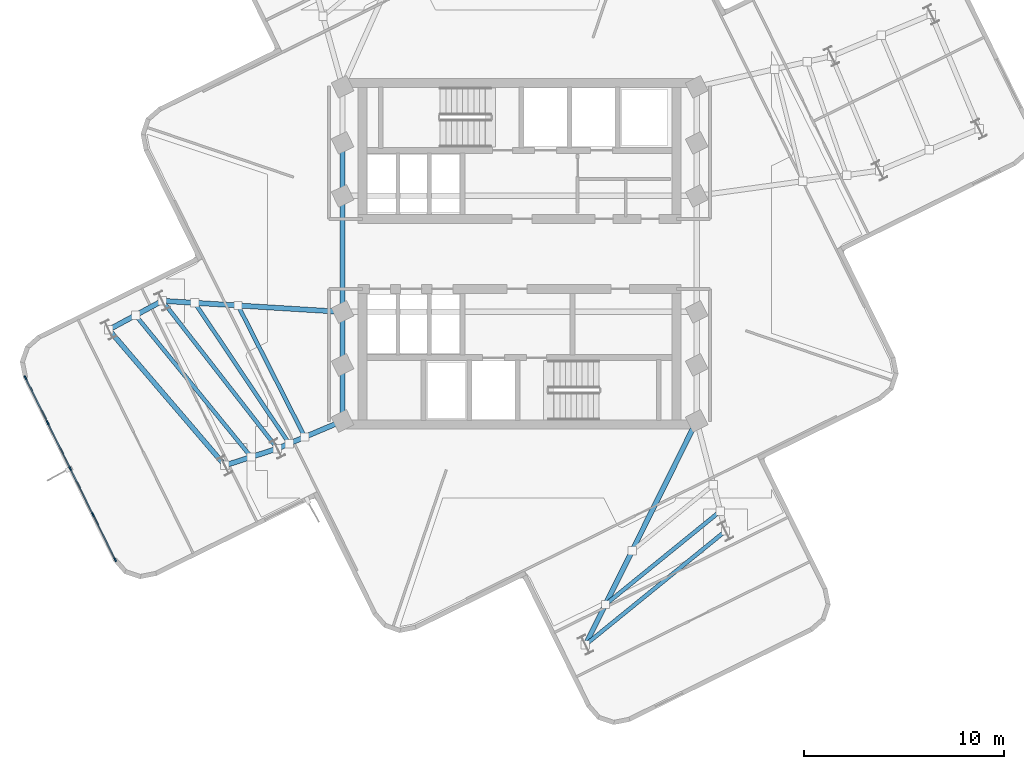
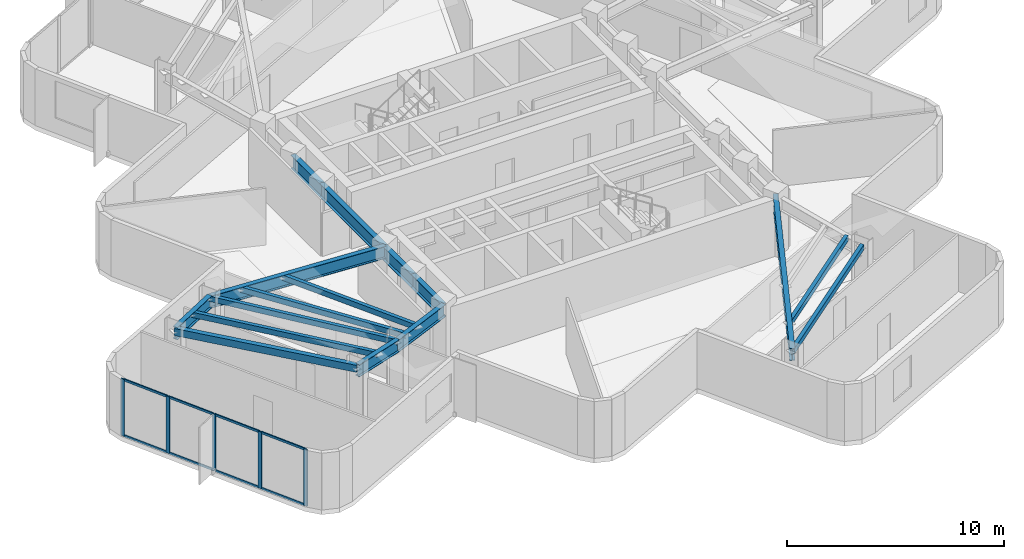
# One storey, part 2 of 11: 16 beams, 13 members, 1 element without a shape of its own.
"""IFC4 building model written with IfcOpenShell, lengths in metres."""

from ifc_helpers import new_model, si_unit, direction, frame, origin, origin_2d, place, context, subcontext, project, spatial, rectangle, hollow_rectangle, i_section, extrude, material, layer, layer_set, material_profile, profile_set, type_object, element, aggregate, save


model = new_model("IFC4")

# Units and contexts
model_context = context("Model", 3, precision=1e-05, world=origin(), true_north=direction((0.0, 1.0)))
body_context = subcontext(model_context, "Body", "Model", "MODEL_VIEW")
ifc_project = project(units=[si_unit("LENGTHUNIT", "METRE"), si_unit("AREAUNIT", "SQUARE_METRE"), si_unit("VOLUMEUNIT", "CUBIC_METRE"), si_unit("PLANEANGLEUNIT", "RADIAN"), si_unit("MASSUNIT", "GRAM", prefix="KILO")], contexts=[model_context])

# Site, building, storey
site_placement = place(None, origin())
site = spatial("IfcSite", under=ifc_project, at=site_placement, CompositionType="ELEMENT")
building_placement = place(site_placement, origin())
building = spatial("IfcBuilding", under=site, at=building_placement, Name="Solmarez Civic Tower", CompositionType="ELEMENT")
storey_placement = place(building_placement, frame((0.0, 0.0, 192.60009765625)))
storey = spatial("IfcBuildingStorey", under=building, at=storey_placement, Name="L51", CompositionType="ELEMENT", Elevation=192.60009765625)

# Beams
ifc_material_1 = material(Name="Steel S355", Category="steel")
ifc_material_profile_1 = material_profile(ifc_material_1, hollow_rectangle(XDim=0.199951171875, YDim=0.300048828125, WallThickness=0.011962890625, at=origin_2d()), Name="HSS300X200X12")
ifc_profile_set_1 = profile_set([ifc_material_profile_1], Name="Steel S355")
beam_type_1 = type_object("IfcBeamType", Name="BM-JS-HSS300X200", PredefinedType="JOIST", material=ifc_profile_set_1)
beam_1_placement = place(storey_placement, frame((-17.85791015625, -2.345947265625, 3.0498046875), z_axis=(0.614476744631, -0.788934934141, 0.0), x_axis=(0.788934934141, 0.614476744631, 0.0)))
element("IfcBeam", 1, at=beam_1_placement, inside=storey, type_object=beam_type_1, Name="L51 Secondary Floor Joist BM-L51-WA-T1", PredefinedType="JOIST", context=body_context, shape_type="SweptSolid", body=[
    extrude(hollow_rectangle(XDim=0.199951171875, YDim=0.300048828125, WallThickness=0.011962890625, at=origin_2d()), origin(), (0.0, 0.0, 1.0), 9.36083984375),
])
beam_2_placement = place(storey_placement, frame((-19.197021484375, -3.06689453125, 3.0498046875), z_axis=(0.632062174253, -0.77491767813, 0.0), x_axis=(0.77491767813, 0.632062174253, 0.0)))
element("IfcBeam", 2, at=beam_2_placement, inside=storey, type_object=beam_type_1, Name="L51 Secondary Floor Joist JS-L51-WA-M2", PredefinedType="JOIST", context=body_context, shape_type="SweptSolid", body=[
    extrude(hollow_rectangle(XDim=0.199951171875, YDim=0.300048828125, WallThickness=0.011962890625, at=origin_2d()), origin(), (0.0, 0.0, 1.0), 9.14306640625),
])
beam_3_placement = place(storey_placement, frame((-14.074951171875, -2.5791015625, 3.0498046875), z_axis=(0.452743410654, -0.891640849282, 0.0), x_axis=(0.891640849282, 0.452743410654, 0.0)))
element("IfcBeam", 3, at=beam_3_placement, inside=storey, type_object=beam_type_1, Name="L51 Secondary Floor Joist JS-L51-WA-M11", PredefinedType="JOIST", context=body_context, shape_type="SweptSolid", body=[
    extrude(hollow_rectangle(XDim=0.199951171875, YDim=0.300048828125, WallThickness=0.011962890625, at=origin_2d()), origin(), (0.0, 0.0, 1.0), 7.370361328125),
])
beam_4_placement = place(storey_placement, frame((-16.237060546875, -2.446044921875, 3.0498046875), z_axis=(0.556859935783, -0.830606412159, 0.0), x_axis=(0.830606412159, 0.556859935783, 0.0)))
element("IfcBeam", 4, at=beam_4_placement, inside=storey, type_object=beam_type_1, Name="L51 Secondary Floor Joist JS-L51-WA-M12", PredefinedType="JOIST", context=body_context, shape_type="SweptSolid", body=[
    extrude(hollow_rectangle(XDim=0.199951171875, YDim=0.300048828125, WallThickness=0.011962890625, at=origin_2d()), origin(), (0.0, 0.0, 1.0), 8.470703125),
])
beam_5_placement = place(storey_placement, frame((3.2900390625, -19.535888671875, 3.0498046875), z_axis=(0.776206737012, 0.630478470225, 0.0), x_axis=(-0.630478470225, 0.776206737012, 0.0)))
element("IfcBeam", 5, at=beam_5_placement, inside=storey, type_object=beam_type_1, Name="L51 Secondary Floor Joist BM-L51-SA-T1", PredefinedType="JOIST", context=body_context, shape_type="SweptSolid", body=[
    extrude(hollow_rectangle(XDim=0.199951171875, YDim=0.300048828125, WallThickness=0.011962890625, at=origin_2d()), origin(), (0.0, 0.0, 1.0), 9.018310546875),
])
beam_6_placement = place(storey_placement, frame((4.291015625, -17.52294921875, 3.0498046875), z_axis=(0.776173575786, 0.630519294115, 0.0), x_axis=(-0.630519294115, 0.776173575786, 0.0)))
element("IfcBeam", 6, at=beam_6_placement, inside=storey, type_object=beam_type_1, Name="L51 Secondary Floor Joist JS-L51-SA-M12", PredefinedType="JOIST", context=body_context, shape_type="SweptSolid", body=[
    extrude(hollow_rectangle(XDim=0.199951171875, YDim=0.300048828125, WallThickness=0.011962890625, at=origin_2d()), origin(), (0.0, 0.0, 1.0), 7.395263671875),
])
ifc_material_profile_2 = material_profile(ifc_material_1, i_section(OverallWidth=0.25390625, OverallDepth=0.68798828125, WebThickness=0.01318359375, FlangeThickness=0.02099609375, at=origin_2d()), Name="W27X102")
ifc_profile_set_2 = profile_set([ifc_material_profile_2], Name="Steel S355")
beam_type_2 = type_object("IfcBeamType", Name="BM-PR-W27X102", PredefinedType="BEAM", material=ifc_profile_set_2)
beam_7_placement = place(storey_placement, frame((-8.85009765625, -2.89990234375, 2.85595703125), z_axis=(-0.998114395047, 0.061381221877, 0.0), x_axis=(-0.061381221877, -0.998114395047, 0.0)))
element("IfcBeam", 7, at=beam_7_placement, inside=storey, type_object=beam_type_2, Name="L51 Primary Floor Beam BM-L51-WA-R1A", PredefinedType="BEAM", context=body_context, shape_type="SweptSolid", body=[
    extrude(i_section(OverallWidth=0.25390625, OverallDepth=0.68798828125, WebThickness=0.01318359375, FlangeThickness=0.02099609375, at=origin_2d()), origin(), (0.0, 0.0, 1.0), 9.02490234375),
])
beam_8_placement = place(storey_placement, frame((-8.85009765625, -8.35009765625, 2.85595703125), z_axis=(-0.920623894701, -0.390450566019, 0.0), x_axis=(0.390450566019, -0.920623894701, 0.0)))
element("IfcBeam", 8, at=beam_8_placement, inside=storey, type_object=beam_type_2, Name="L51 Primary Floor Beam BM-L51-WA-R1B", PredefinedType="BEAM", context=body_context, shape_type="SweptSolid", body=[
    extrude(i_section(OverallWidth=0.25390625, OverallDepth=0.68798828125, WebThickness=0.01318359375, FlangeThickness=0.02099609375, at=origin_2d()), origin(), (0.0, 0.0, 1.0), 3.53662109375),
])
beam_9_placement = place(storey_placement, frame((-17.85791015625, -2.345947265625, 2.85595703125), z_axis=(-0.880378270924, -0.474272179329, 0.0), x_axis=(0.474272179329, -0.880378270924, 0.0)))
element("IfcBeam", 9, at=beam_9_placement, inside=storey, type_object=beam_type_2, Name="L51 Primary Floor Beam BM-L51-WA-R2A", PredefinedType="BEAM", context=body_context, shape_type="SweptSolid", body=[
    extrude(i_section(OverallWidth=0.25390625, OverallDepth=0.68798828125, WebThickness=0.01318359375, FlangeThickness=0.02099609375, at=origin_2d()), origin(), (0.0, 0.0, 1.0), 3.040771484375),
])
beam_10_placement = place(storey_placement, frame((-12.10595703125, -9.73095703125, 2.85595703125), z_axis=(-0.952208998703, -0.305447250421, 0.0), x_axis=(0.305447250421, -0.952208998703, 0.0)))
element("IfcBeam", 10, at=beam_10_placement, inside=storey, type_object=beam_type_2, Name="L51 Primary Floor Beam BM-L51-WA-R2B", PredefinedType="BEAM", context=body_context, shape_type="SweptSolid", body=[
    extrude(i_section(OverallWidth=0.25390625, OverallDepth=0.68798828125, WebThickness=0.01318359375, FlangeThickness=0.02099609375, at=origin_2d()), origin(), (0.0, 0.0, 1.0), 2.7568359375),
])
beam_11_placement = place(storey_placement, frame((8.85009765625, -8.35009765625, 2.85595703125), z_axis=(-0.44510935737, -0.895476219663, 0.0), x_axis=(0.895476219663, -0.44510935737, 0.0)))
element("IfcBeam", 11, at=beam_11_placement, inside=storey, type_object=beam_type_2, Name="L51 Primary Floor Beam BM-L51-SA-R1A", PredefinedType="BEAM", context=body_context, shape_type="SweptSolid", body=[
    extrude(i_section(OverallWidth=0.25390625, OverallDepth=0.68798828125, WebThickness=0.01318359375, FlangeThickness=0.02099609375, at=origin_2d()), origin(), (0.0, 0.0, 1.0), 12.491455078125),
])
ifc_material_profile_3 = material_profile(ifc_material_1, i_section(OverallWidth=0.26708984375, OverallDepth=0.761962890625, WebThickness=0.014404296875, FlangeThickness=0.021484375, at=origin_2d()), Name="W30X116")
ifc_profile_set_3 = profile_set([ifc_material_profile_3], Name="Steel S355")
beam_type_3 = type_object("IfcBeamType", Name="BM-PR-W30X116", PredefinedType="BEAM", material=ifc_profile_set_3)
beam_12_placement = place(storey_placement, frame((-8.85009765625, -8.35009765625, 2.81884765625), z_axis=(0.0, 1.0, 0.0), x_axis=(-1.0, 0.0, 0.0)))
element("IfcBeam", 12, at=beam_12_placement, inside=storey, type_object=beam_type_3, Name="L51 Primary Floor Beam BM-L51-HC12-HC1", PredefinedType="BEAM", context=body_context, shape_type="SweptSolid", body=[
    extrude(i_section(OverallWidth=0.26708984375, OverallDepth=0.761962890625, WebThickness=0.014404296875, FlangeThickness=0.021484375, at=origin_2d()), origin(), (0.0, 0.0, 1.0), 2.800048828125),
])
beam_13_placement = place(storey_placement, frame((-8.85009765625, -5.550048828125, 2.81884765625), z_axis=(0.0, 1.0, 0.0), x_axis=(-1.0, 0.0, 0.0)))
element("IfcBeam", 13, at=beam_13_placement, inside=storey, type_object=beam_type_3, Name="L51 Primary Floor Beam BM-L51-HC1-HC2", PredefinedType="BEAM", context=body_context, shape_type="SweptSolid", body=[
    extrude(i_section(OverallWidth=0.26708984375, OverallDepth=0.761962890625, WebThickness=0.014404296875, FlangeThickness=0.021484375, at=origin_2d()), origin(), (0.0, 0.0, 1.0), 2.650146484375),
])
beam_14_placement = place(storey_placement, frame((-8.85009765625, -2.89990234375, 2.81884765625), z_axis=(0.0, 1.0, 0.0), x_axis=(-1.0, 0.0, 0.0)))
element("IfcBeam", 14, at=beam_14_placement, inside=storey, type_object=beam_type_3, Name="L51 Primary Floor Beam BM-L51-HC2-HC3", PredefinedType="BEAM", context=body_context, shape_type="SweptSolid", body=[
    extrude(i_section(OverallWidth=0.26708984375, OverallDepth=0.761962890625, WebThickness=0.014404296875, FlangeThickness=0.021484375, at=origin_2d()), origin(), (0.0, 0.0, 1.0), 5.7998046875),
])
beam_15_placement = place(storey_placement, frame((-8.85009765625, 2.89990234375, 2.81884765625), z_axis=(0.0, 1.0, 0.0), x_axis=(-1.0, 0.0, 0.0)))
element("IfcBeam", 15, at=beam_15_placement, inside=storey, type_object=beam_type_3, Name="L51 Primary Floor Beam BM-L51-HC3-HC4", PredefinedType="BEAM", context=body_context, shape_type="SweptSolid", body=[
    extrude(i_section(OverallWidth=0.26708984375, OverallDepth=0.761962890625, WebThickness=0.014404296875, FlangeThickness=0.021484375, at=origin_2d()), origin(), (0.0, 0.0, 1.0), 2.650146484375),
])
ifc_material_profile_4 = material_profile(ifc_material_1, hollow_rectangle(XDim=0.25, YDim=0.39990234375, WallThickness=0.01611328125, at=origin_2d()), Name="HSS400X250X16")
ifc_profile_set_4 = profile_set([ifc_material_profile_4], Name="Steel S355")
beam_type_4 = type_object("IfcBeamType", Name="BM-SP-HSS400X250", PredefinedType="SPANDREL", material=ifc_profile_set_4)
beam_16_placement = place(storey_placement, frame((-20.534912109375, -3.7880859375, 3.0), z_axis=(0.650036693718, -0.759902820642, 0.0), x_axis=(0.759902820642, 0.650036693718, 0.0)))
element("IfcBeam", 16, at=beam_16_placement, inside=storey, type_object=beam_type_4, Name="L51 Perimeter Spandrel Beam BM-L51-WA-T2", PredefinedType="SPANDREL", context=body_context, shape_type="SweptSolid", body=[
    extrude(hollow_rectangle(XDim=0.25, YDim=0.39990234375, WallThickness=0.01611328125, at=origin_2d()), origin(), (0.0, 0.0, 1.0), 8.9287109375),
])

# Curtain wall, members
ifc_material_2 = material(Name="Bronze Anodised Aluminium EN AW-6063 T6", Category="aluminium")
ifc_layer = layer(ifc_material_2, 0.2099609375)
ifc_layer_set = layer_set([ifc_layer], Name="Bronze Anodised Aluminium EN AW-6063 T6")
curtain_wall_type = type_object("IfcCurtainWallType", Name="CW-SYS-5", PredefinedType="NOTDEFINED", material=ifc_layer_set)
curtain_wall_placement = place(storey_placement, origin())
curtain_wall = element("IfcCurtainWall", 17, at=curtain_wall_placement, inside=storey, type_object=curtain_wall_type, Name="L51 Stick-Built Curtain Wall 1", PredefinedType="NOTDEFINED")
ifc_material_profile_5 = material_profile(ifc_material_2, rectangle(XDim=0.074951171875, YDim=0.199951171875, at=origin_2d()), Name="CWM-75X200")
ifc_profile_set_5 = profile_set([ifc_material_profile_5], Name="Bronze Anodised Aluminium EN AW-6063 T6")
member_type_1 = type_object("IfcMemberType", Name="CWM-TYPE-1", PredefinedType="MULLION", material=ifc_profile_set_5)
member_1_placement = place(storey_placement, frame((-20.214599609375, -15.285400390625, 0.0), z_axis=(0.0, 0.0, 1.0), x_axis=(-0.896937320632, -0.442157712652, 0.0)))
member_1 = element("IfcMember", 18, at=member_1_placement, type_object=member_type_1, Name="CWS5 mullion 1", PredefinedType="MULLION", context=body_context, shape_type="SweptSolid", body=[
    extrude(rectangle(XDim=0.074951171875, YDim=0.199951171875, at=origin_2d()), origin(), (0.0, 0.0, 1.0), 3.199951171875),
])
member_2_placement = place(storey_placement, frame((-21.32763671875, -13.02734375, 0.0), z_axis=(0.0, 0.0, 1.0), x_axis=(-0.896937320632, -0.442157712652, 0.0)))
member_2 = element("IfcMember", 19, at=member_2_placement, type_object=member_type_1, Name="CWS5 mullion 2", PredefinedType="MULLION", context=body_context, shape_type="SweptSolid", body=[
    extrude(rectangle(XDim=0.074951171875, YDim=0.199951171875, at=origin_2d()), origin(), (0.0, 0.0, 1.0), 3.199951171875),
])
member_3_placement = place(storey_placement, frame((-22.45751953125, -10.735595703125, 0.0), z_axis=(0.0, 0.0, 1.0), x_axis=(-0.896937320632, -0.442157712652, 0.0)))
member_3 = element("IfcMember", 20, at=member_3_placement, type_object=member_type_1, Name="CWS5 mullion 3", PredefinedType="MULLION", context=body_context, shape_type="SweptSolid", body=[
    extrude(rectangle(XDim=0.074951171875, YDim=0.199951171875, at=origin_2d()), origin(), (0.0, 0.0, 1.0), 3.199951171875),
])
member_4_placement = place(storey_placement, frame((-23.587158203125, -8.44384765625, 0.0), z_axis=(0.0, 0.0, 1.0), x_axis=(-0.896937320632, -0.442157712652, 0.0)))
member_4 = element("IfcMember", 21, at=member_4_placement, type_object=member_type_1, Name="CWS5 mullion 4", PredefinedType="MULLION", context=body_context, shape_type="SweptSolid", body=[
    extrude(rectangle(XDim=0.074951171875, YDim=0.199951171875, at=origin_2d()), origin(), (0.0, 0.0, 1.0), 3.199951171875),
])
member_5_placement = place(storey_placement, frame((-24.700439453125, -6.185546875, 0.0), z_axis=(0.0, 0.0, 1.0), x_axis=(-0.896937320632, -0.442157712652, 0.0)))
member_5 = element("IfcMember", 22, at=member_5_placement, type_object=member_type_1, Name="CWS5 mullion 5", PredefinedType="MULLION", context=body_context, shape_type="SweptSolid", body=[
    extrude(rectangle(XDim=0.074951171875, YDim=0.199951171875, at=origin_2d()), origin(), (0.0, 0.0, 1.0), 3.199951171875),
])
ifc_material_profile_6 = material_profile(ifc_material_2, rectangle(XDim=0.06494140625, YDim=0.125, at=origin_2d()), Name="CWT-65X125")
ifc_profile_set_6 = profile_set([ifc_material_profile_6], Name="Bronze Anodised Aluminium EN AW-6063 T6")
member_type_2 = type_object("IfcMemberType", Name="CWT-TYPE-2", PredefinedType="USERDEFINED", material=ifc_profile_set_6)
member_6_placement = place(storey_placement, frame((-20.231201171875, -15.251708984375, 0.032470703125), z_axis=(-0.442169133019, 0.896931690713, 0.0), x_axis=(-0.896931690713, -0.442169133019, 0.0)))
member_6 = element("IfcMember", 23, at=member_6_placement, type_object=member_type_2, Name="CWS5 transom 1.1", ObjectType="TRANSOM", PredefinedType="USERDEFINED", context=body_context, shape_type="SweptSolid", body=[
    extrude(rectangle(XDim=0.06494140625, YDim=0.125, at=origin_2d()), origin(), (0.0, 0.0, 1.0), 2.442626953125),
])
member_7_placement = place(storey_placement, frame((-20.231201171875, -15.251708984375, 3.16748046875), z_axis=(-0.442169133019, 0.896931690713, 0.0), x_axis=(-0.896931690713, -0.442169133019, 0.0)))
member_7 = element("IfcMember", 24, at=member_7_placement, type_object=member_type_2, Name="CWS5 transom 1.2", ObjectType="TRANSOM", PredefinedType="USERDEFINED", context=body_context, shape_type="SweptSolid", body=[
    extrude(rectangle(XDim=0.06494140625, YDim=0.125, at=origin_2d()), origin(), (0.0, 0.0, 1.0), 2.442626953125),
])
member_8_placement = place(storey_placement, frame((-21.34423828125, -12.99365234375, 0.032470703125), z_axis=(-0.442166662221, 0.896932908762, 0.0), x_axis=(-0.896932908762, -0.442166662221, 0.0)))
member_8 = element("IfcMember", 25, at=member_8_placement, type_object=member_type_2, Name="CWS5 transom 2.1", ObjectType="TRANSOM", PredefinedType="USERDEFINED", context=body_context, shape_type="SweptSolid", body=[
    extrude(rectangle(XDim=0.06494140625, YDim=0.125, at=origin_2d()), origin(), (0.0, 0.0, 1.0), 2.480224609375),
])
member_9_placement = place(storey_placement, frame((-21.34423828125, -12.99365234375, 3.16748046875), z_axis=(-0.442166662221, 0.896932908762, 0.0), x_axis=(-0.896932908762, -0.442166662221, 0.0)))
member_9 = element("IfcMember", 26, at=member_9_placement, type_object=member_type_2, Name="CWS5 transom 2.2", ObjectType="TRANSOM", PredefinedType="USERDEFINED", context=body_context, shape_type="SweptSolid", body=[
    extrude(rectangle(XDim=0.06494140625, YDim=0.125, at=origin_2d()), origin(), (0.0, 0.0, 1.0), 2.480224609375),
])
member_10_placement = place(storey_placement, frame((-22.47412109375, -10.701904296875, 0.032470703125), z_axis=(-0.442087467813, 0.896971945382, 0.0), x_axis=(-0.896971945382, -0.442087467813, 0.0)))
member_10 = element("IfcMember", 27, at=member_10_placement, type_object=member_type_2, Name="CWS5 transom 3.1", ObjectType="TRANSOM", PredefinedType="USERDEFINED", context=body_context, shape_type="SweptSolid", body=[
    extrude(rectangle(XDim=0.06494140625, YDim=0.125, at=origin_2d()), origin(), (0.0, 0.0, 1.0), 2.480224609375),
])
member_11_placement = place(storey_placement, frame((-22.47412109375, -10.701904296875, 3.16748046875), z_axis=(-0.442087467813, 0.896971945382, 0.0), x_axis=(-0.896971945382, -0.442087467813, 0.0)))
member_11 = element("IfcMember", 28, at=member_11_placement, type_object=member_type_2, Name="CWS5 transom 3.2", ObjectType="TRANSOM", PredefinedType="USERDEFINED", context=body_context, shape_type="SweptSolid", body=[
    extrude(rectangle(XDim=0.06494140625, YDim=0.125, at=origin_2d()), origin(), (0.0, 0.0, 1.0), 2.480224609375),
])
member_12_placement = place(storey_placement, frame((-23.603759765625, -8.41015625, 0.032470703125), z_axis=(-0.442169133019, 0.896931690713, 0.0), x_axis=(-0.896931690713, -0.442169133019, 0.0)))
member_12 = element("IfcMember", 29, at=member_12_placement, type_object=member_type_2, Name="CWS5 transom 4.1", ObjectType="TRANSOM", PredefinedType="USERDEFINED", context=body_context, shape_type="SweptSolid", body=[
    extrude(rectangle(XDim=0.06494140625, YDim=0.125, at=origin_2d()), origin(), (0.0, 0.0, 1.0), 2.442626953125),
])
member_13_placement = place(storey_placement, frame((-23.603759765625, -8.41015625, 3.16748046875), z_axis=(-0.442169133019, 0.896931690713, 0.0), x_axis=(-0.896931690713, -0.442169133019, 0.0)))
member_13 = element("IfcMember", 30, at=member_13_placement, type_object=member_type_2, Name="CWS5 transom 4.2", ObjectType="TRANSOM", PredefinedType="USERDEFINED", context=body_context, shape_type="SweptSolid", body=[
    extrude(rectangle(XDim=0.06494140625, YDim=0.125, at=origin_2d()), origin(), (0.0, 0.0, 1.0), 2.442626953125),
])
aggregate(curtain_wall, [member_1, member_2, member_3, member_4, member_5, member_6, member_7, member_8, member_9, member_10, member_11, member_12, member_13])

save(model, "model.ifc")
